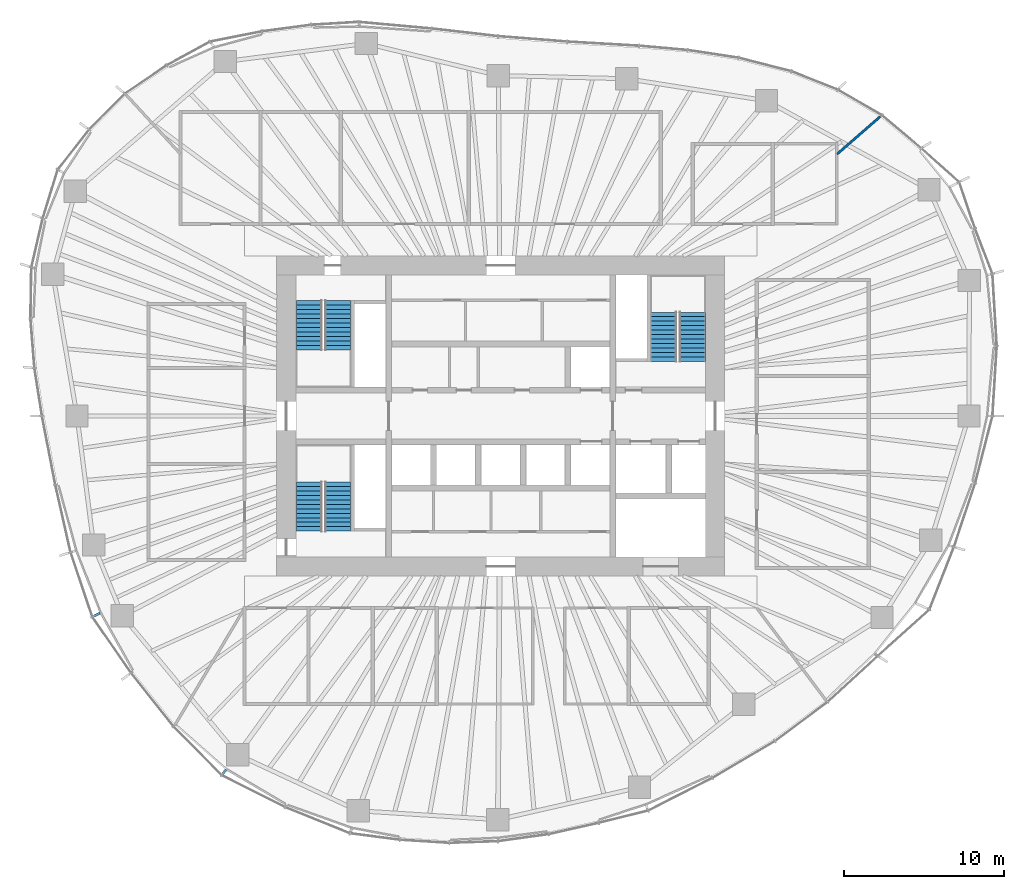
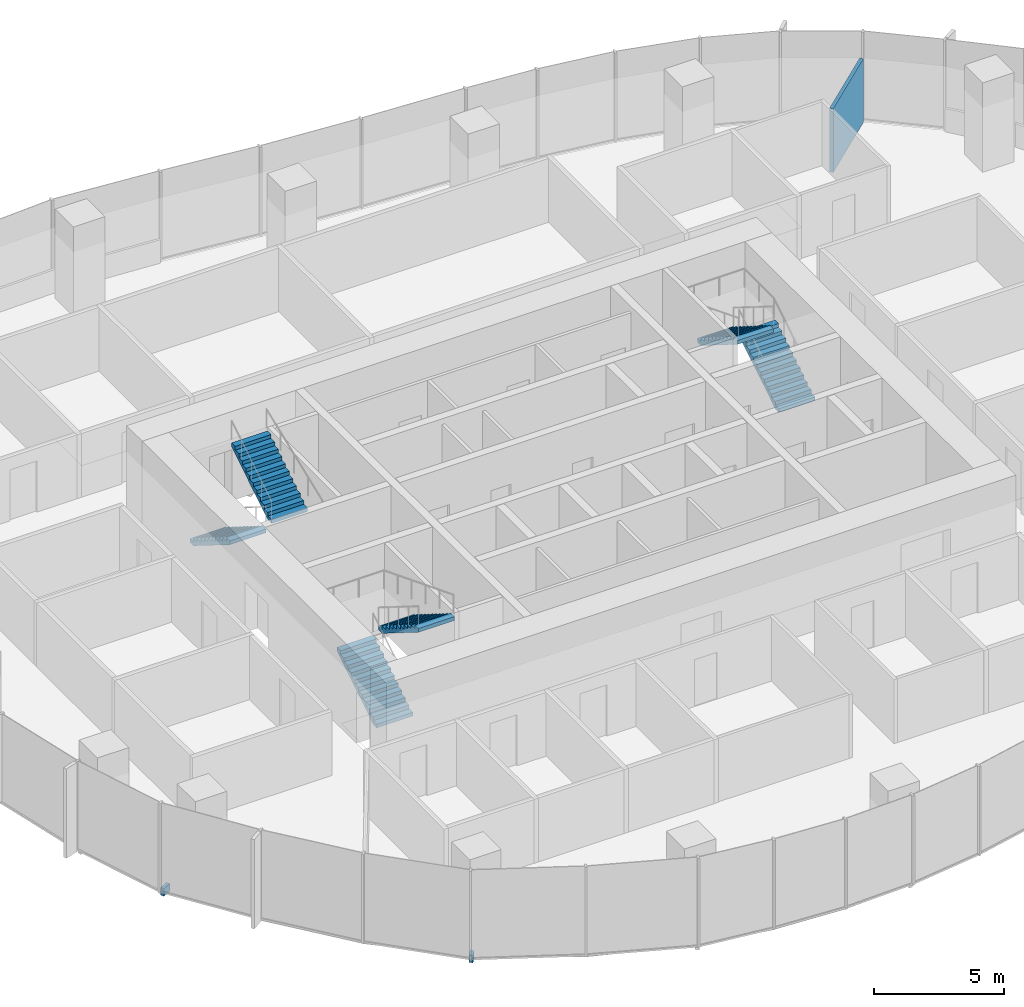
# One storey, part 11 of 18: 6 stair flights, 2 discrete accessories, 1 wall, 3 elements without a shape of their own.
"""IFC4 building model written with IfcOpenShell, lengths in metres."""

from ifc_helpers import new_model, si_unit, direction, frame, frame_2d, origin, origin_2d, place, context, subcontext, project, spatial, polyline, rectangle, outline, extrude, material, layer, layer_set, type_object, element, aggregate, save


model = new_model("IFC4")

# Units and contexts
model_context = context("Model", 3, precision=1e-05, world=origin(), true_north=direction((0.0, 1.0)))
body_context = subcontext(model_context, "Body", "Model", "MODEL_VIEW")
ifc_project = project(units=[si_unit("LENGTHUNIT", "METRE"), si_unit("AREAUNIT", "SQUARE_METRE"), si_unit("VOLUMEUNIT", "CUBIC_METRE"), si_unit("PLANEANGLEUNIT", "RADIAN"), si_unit("MASSUNIT", "GRAM", prefix="KILO")], contexts=[model_context])

# Site, building, storey
site_placement = place(None, origin())
site = spatial("IfcSite", under=ifc_project, at=site_placement, CompositionType="ELEMENT")
building_placement = place(site_placement, origin())
building = spatial("IfcBuilding", under=site, at=building_placement, Name="Ghaith Harvest Tower", CompositionType="ELEMENT")
storey_placement = place(building_placement, frame((0.0, 0.0, 180.60009765625)))
storey = spatial("IfcBuildingStorey", under=building, at=storey_placement, Name="L39", CompositionType="ELEMENT", Elevation=180.60009765625)

# Wall
ifc_material_1 = material(Name="Gypsum board on steel studs", Category="steel")
ifc_layer = layer(ifc_material_1, 0.14990234375)
ifc_layer_set = layer_set([ifc_layer], Name="PARTITION 150")
wall_type = type_object("IfcWallType", Name="PARTITION 150", PredefinedType="PARTITIONING", material=ifc_layer_set)
wall_placement = place(storey_placement, frame((21.02001953125, 16.364013671875, 0.0), z_axis=(0.0, 0.0, 1.0), x_axis=(0.75467183248, 0.656102450278, 0.0)))
element("IfcWall", 1, at=wall_placement, inside=storey, type_object=wall_type, Name="Partition L39 zone division", PredefinedType="PARTITIONING", context=body_context, shape_type="SweptSolid", body=[
    extrude(rectangle(XDim=3.566650390625, YDim=0.14990234375, at=frame_2d((1.783203125, 0.0))), origin(), (0.0, 0.0, 1.0), 3.0),
])

# Stair, stair flights
ifc_material_2 = material(Name="Concrete C40/50, precast", Category="concrete")
stair_type = type_object("IfcStairType", Name="CORE STAIR 24R", PredefinedType="HALF_TURN_STAIR", material=ifc_material_2)
stair_1_placement = place(storey_placement, origin())
stair_1 = element("IfcStair", 2, at=stair_1_placement, inside=storey, type_object=stair_type, Name="Stair ST1 L39", PredefinedType="HALF_TURN_STAIR")
ifc_material_3 = material(Name="Concrete C40/50, precast", Category="concrete")
stair_flight_type = type_object("IfcStairFlightType", Name="CORE FLIGHT 12R 1600", PredefinedType="STRAIGHT", material=ifc_material_3)
stair_flight_1_placement = place(storey_placement, frame((-12.0, 7.199951171875, 0.0), z_axis=(0.0, 0.0, 1.0), x_axis=(0.0, -1.0, 0.0)))
stair_flight_1 = element("IfcStairFlight", 3, at=stair_flight_1_placement, type_object=stair_flight_type, Name="ST1 flight 1", NumberOfRisers=12, NumberOfTreads=11, PredefinedType="STRAIGHT", RiserHeight=0.175, TreadLength=0.28, context=body_context, shape_type="SweptSolid", body=[
    extrude(outline(polyline([(0.0, 0.0), (0.0, 0.175048828125), (0.280029296875, 0.175048828125), (0.280029296875, 0.35009765625), (0.56005859375, 0.35009765625), (0.56005859375, 0.52490234375), (0.840087890625, 0.52490234375), (0.840087890625, 0.699951171875), (1.1201171875, 0.699951171875), (1.1201171875, 0.875), (1.39990234375, 0.875), (1.39990234375, 1.050048828125), (1.679931640625, 1.050048828125), (1.679931640625, 1.22509765625), (1.9599609375, 1.22509765625), (1.9599609375, 1.39990234375), (2.239990234375, 1.39990234375), (2.239990234375, 1.574951171875), (2.52001953125, 1.574951171875), (2.52001953125, 1.75), (2.800048828125, 1.75), (2.800048828125, 1.925048828125), (3.080078125, 1.925048828125), (3.080078125, 2.10009765625), (3.080078125, 1.748291015625), (0.28271484375, 0.0), (0.0, 0.0)])), frame((0.0, 0.800048828125, 0.0), z_axis=(0.0, -1.0, 0.0), x_axis=(1.0, 0.0, 0.0)), (0.0, 0.0, 1.0), 1.60009765625),
])
stair_flight_2_placement = place(storey_placement, frame((-10.14990234375, 4.1201171875, 2.099853515625), z_axis=(0.0, 0.0, 1.0), x_axis=(0.0, 1.0, 0.0)))
stair_flight_2 = element("IfcStairFlight", 4, at=stair_flight_2_placement, type_object=stair_flight_type, Name="ST1 flight 2", NumberOfRisers=12, NumberOfTreads=11, PredefinedType="STRAIGHT", RiserHeight=0.175, TreadLength=0.28, context=body_context, shape_type="SweptSolid", body=[
    extrude(outline(polyline([(0.0, 0.0), (0.0, 0.175048828125), (0.280029296875, 0.175048828125), (0.280029296875, 0.35009765625), (0.56005859375, 0.35009765625), (0.56005859375, 0.52490234375), (0.840087890625, 0.52490234375), (0.840087890625, 0.699951171875), (1.1201171875, 0.699951171875), (1.1201171875, 0.875), (1.39990234375, 0.875), (1.39990234375, 1.050048828125), (1.679931640625, 1.050048828125), (1.679931640625, 1.22509765625), (1.9599609375, 1.22509765625), (1.9599609375, 1.39990234375), (2.239990234375, 1.39990234375), (2.239990234375, 1.574951171875), (2.52001953125, 1.574951171875), (2.52001953125, 1.75), (2.800048828125, 1.75), (2.800048828125, 1.925048828125), (3.080078125, 1.925048828125), (3.080078125, 2.10009765625), (3.080078125, 1.748291015625), (0.28271484375, 0.0), (0.0, 0.0)])), frame((0.0, 0.800048828125, 0.0), z_axis=(0.0, -1.0, 0.0), x_axis=(1.0, 0.0, 0.0)), (0.0, 0.0, 1.0), 1.60009765625),
])
aggregate(stair_1, [stair_flight_1, stair_flight_2])

stair_2_placement = place(storey_placement, origin())
stair_2 = element("IfcStair", 5, at=stair_2_placement, inside=storey, type_object=stair_type, Name="Stair ST3 L39", PredefinedType="HALF_TURN_STAIR")
stair_flight_3_placement = place(storey_placement, frame((-12.0, -7.199951171875, 0.0), z_axis=(0.0, 0.0, 1.0), x_axis=(0.0, 1.0, 0.0)))
stair_flight_3 = element("IfcStairFlight", 6, at=stair_flight_3_placement, type_object=stair_flight_type, Name="ST3 flight 1", NumberOfRisers=12, NumberOfTreads=11, PredefinedType="STRAIGHT", RiserHeight=0.175, TreadLength=0.28, context=body_context, shape_type="SweptSolid", body=[
    extrude(outline(polyline([(0.0, 0.0), (0.0, 0.175048828125), (0.280029296875, 0.175048828125), (0.280029296875, 0.35009765625), (0.56005859375, 0.35009765625), (0.56005859375, 0.52490234375), (0.840087890625, 0.52490234375), (0.840087890625, 0.699951171875), (1.1201171875, 0.699951171875), (1.1201171875, 0.875), (1.39990234375, 0.875), (1.39990234375, 1.050048828125), (1.679931640625, 1.050048828125), (1.679931640625, 1.22509765625), (1.9599609375, 1.22509765625), (1.9599609375, 1.39990234375), (2.239990234375, 1.39990234375), (2.239990234375, 1.574951171875), (2.52001953125, 1.574951171875), (2.52001953125, 1.75), (2.800048828125, 1.75), (2.800048828125, 1.925048828125), (3.080078125, 1.925048828125), (3.080078125, 2.10009765625), (3.080078125, 1.748291015625), (0.28271484375, 0.0), (0.0, 0.0)])), frame((0.0, 0.800048828125, 0.0), z_axis=(0.0, -1.0, 0.0), x_axis=(1.0, 0.0, 0.0)), (0.0, 0.0, 1.0), 1.60009765625),
])
stair_flight_4_placement = place(storey_placement, frame((-10.14990234375, -4.1201171875, 2.099853515625), z_axis=(0.0, 0.0, 1.0), x_axis=(0.0, -1.0, 0.0)))
stair_flight_4 = element("IfcStairFlight", 7, at=stair_flight_4_placement, type_object=stair_flight_type, Name="ST3 flight 2", NumberOfRisers=12, NumberOfTreads=11, PredefinedType="STRAIGHT", RiserHeight=0.175, TreadLength=0.28, context=body_context, shape_type="SweptSolid", body=[
    extrude(outline(polyline([(0.0, 0.0), (0.0, 0.175048828125), (0.280029296875, 0.175048828125), (0.280029296875, 0.35009765625), (0.56005859375, 0.35009765625), (0.56005859375, 0.52490234375), (0.840087890625, 0.52490234375), (0.840087890625, 0.699951171875), (1.1201171875, 0.699951171875), (1.1201171875, 0.875), (1.39990234375, 0.875), (1.39990234375, 1.050048828125), (1.679931640625, 1.050048828125), (1.679931640625, 1.22509765625), (1.9599609375, 1.22509765625), (1.9599609375, 1.39990234375), (2.239990234375, 1.39990234375), (2.239990234375, 1.574951171875), (2.52001953125, 1.574951171875), (2.52001953125, 1.75), (2.800048828125, 1.75), (2.800048828125, 1.925048828125), (3.080078125, 1.925048828125), (3.080078125, 2.10009765625), (3.080078125, 1.748291015625), (0.28271484375, 0.0), (0.0, 0.0)])), frame((0.0, 0.800048828125, 0.0), z_axis=(0.0, -1.0, 0.0), x_axis=(1.0, 0.0, 0.0)), (0.0, 0.0, 1.0), 1.60009765625),
])
aggregate(stair_2, [stair_flight_3, stair_flight_4])

stair_3_placement = place(storey_placement, origin())
stair_3 = element("IfcStair", 8, at=stair_3_placement, inside=storey, type_object=stair_type, Name="Stair ST2 L39", PredefinedType="HALF_TURN_STAIR")
stair_flight_5_placement = place(storey_placement, frame((12.0, 3.39990234375, 0.0), z_axis=(0.0, 0.0, 1.0), x_axis=(0.0, 1.0, 0.0)))
stair_flight_5 = element("IfcStairFlight", 9, at=stair_flight_5_placement, type_object=stair_flight_type, Name="ST2 flight 1", NumberOfRisers=12, NumberOfTreads=11, PredefinedType="STRAIGHT", RiserHeight=0.175, TreadLength=0.28, context=body_context, shape_type="SweptSolid", body=[
    extrude(outline(polyline([(0.0, 0.0), (0.0, 0.175048828125), (0.280029296875, 0.175048828125), (0.280029296875, 0.35009765625), (0.56005859375, 0.35009765625), (0.56005859375, 0.52490234375), (0.840087890625, 0.52490234375), (0.840087890625, 0.699951171875), (1.1201171875, 0.699951171875), (1.1201171875, 0.875), (1.39990234375, 0.875), (1.39990234375, 1.050048828125), (1.679931640625, 1.050048828125), (1.679931640625, 1.22509765625), (1.9599609375, 1.22509765625), (1.9599609375, 1.39990234375), (2.239990234375, 1.39990234375), (2.239990234375, 1.574951171875), (2.52001953125, 1.574951171875), (2.52001953125, 1.75), (2.800048828125, 1.75), (2.800048828125, 1.925048828125), (3.080078125, 1.925048828125), (3.080078125, 2.10009765625), (3.080078125, 1.748291015625), (0.28271484375, 0.0), (0.0, 0.0)])), frame((0.0, 0.800048828125, 0.0), z_axis=(0.0, -1.0, 0.0), x_axis=(1.0, 0.0, 0.0)), (0.0, 0.0, 1.0), 1.60009765625),
])
stair_flight_6_placement = place(storey_placement, frame((10.14990234375, 6.47998046875, 2.099853515625), z_axis=(0.0, 0.0, 1.0), x_axis=(0.0, -1.0, 0.0)))
stair_flight_6 = element("IfcStairFlight", 10, at=stair_flight_6_placement, type_object=stair_flight_type, Name="ST2 flight 2", NumberOfRisers=12, NumberOfTreads=11, PredefinedType="STRAIGHT", RiserHeight=0.175, TreadLength=0.28, context=body_context, shape_type="SweptSolid", body=[
    extrude(outline(polyline([(0.0, 0.0), (0.0, 0.175048828125), (0.280029296875, 0.175048828125), (0.280029296875, 0.35009765625), (0.56005859375, 0.35009765625), (0.56005859375, 0.52490234375), (0.840087890625, 0.52490234375), (0.840087890625, 0.699951171875), (1.1201171875, 0.699951171875), (1.1201171875, 0.875), (1.39990234375, 0.875), (1.39990234375, 1.050048828125), (1.679931640625, 1.050048828125), (1.679931640625, 1.22509765625), (1.9599609375, 1.22509765625), (1.9599609375, 1.39990234375), (2.239990234375, 1.39990234375), (2.239990234375, 1.574951171875), (2.52001953125, 1.574951171875), (2.52001953125, 1.75), (2.800048828125, 1.75), (2.800048828125, 1.925048828125), (3.080078125, 1.925048828125), (3.080078125, 2.10009765625), (3.080078125, 1.748291015625), (0.28271484375, 0.0), (0.0, 0.0)])), frame((0.0, 0.800048828125, 0.0), z_axis=(0.0, -1.0, 0.0), x_axis=(1.0, 0.0, 0.0)), (0.0, 0.0, 1.0), 1.60009765625),
])
aggregate(stair_3, [stair_flight_5, stair_flight_6])

# Discrete accessories
ifc_material_4 = material(Name="Stainless steel grade 1.4401", Category="steel")
discrete_accessory_type_1 = type_object("IfcDiscreteAccessoryType", Name="CURTAIN WALL BRACKET 315", PredefinedType="BRACKET", material=ifc_material_4)
discrete_accessory_1_placement = place(storey_placement, frame((-17.266357421875, -22.232421875, -0.250244140625), z_axis=(0.0, 0.0, 1.0), x_axis=(-0.613377713774, -0.789789706343, 0.0)))
element("IfcDiscreteAccessory", 11, at=discrete_accessory_1_placement, inside=storey, type_object=discrete_accessory_type_1, Name="CW-L bracket 1 bay 14 L39", PredefinedType="BRACKET", context=body_context, shape_type="SweptSolid", body=[
    extrude(rectangle(XDim=0.31494140625, YDim=0.14990234375, at=origin_2d()), origin(), (0.0, 0.0, 1.0), 0.35009765625),
])
ifc_material_5 = material(Name="Stainless steel grade 1.4401", Category="steel")
discrete_accessory_type_2 = type_object("IfcDiscreteAccessoryType", Name="CURTAIN WALL BRACKET 415", PredefinedType="BRACKET", material=ifc_material_5)
discrete_accessory_2_placement = place(storey_placement, frame((-25.228515625, -12.41796875, -0.250244140625), z_axis=(0.0, 0.0, 1.0), x_axis=(-0.897201221415, -0.441621974421, 0.0)))
element("IfcDiscreteAccessory", 12, at=discrete_accessory_2_placement, inside=storey, type_object=discrete_accessory_type_2, Name="CW-L bracket 2 bay 12 L39", PredefinedType="BRACKET", context=body_context, shape_type="SweptSolid", body=[
    extrude(rectangle(XDim=0.4150390625, YDim=0.14990234375, at=origin_2d()), origin(), (0.0, 0.0, 1.0), 0.35009765625),
])

save(model, "model.ifc")
